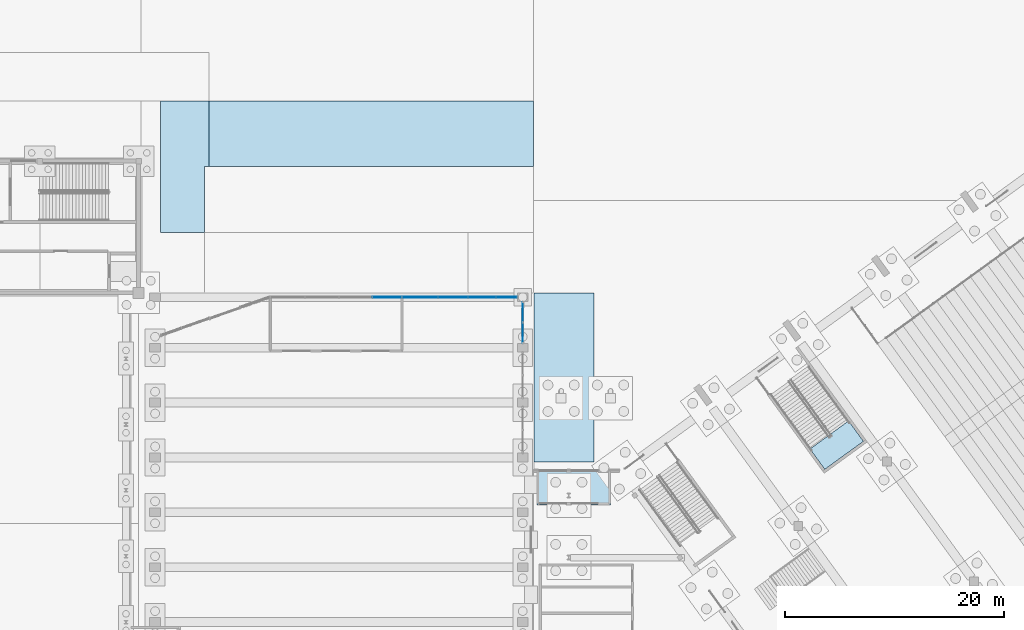
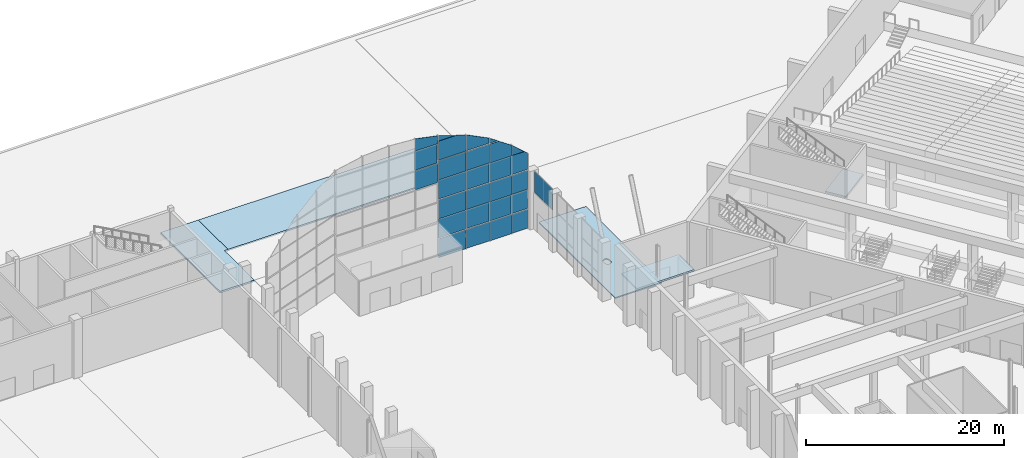
# One storey, part 160 of 239: 29 plates, 5 slabs, 4 elements without a shape of their own.
"""IFC4 building model written with IfcOpenShell, lengths in metres."""

from ifc_helpers import new_model, si_unit, direction, frame, origin, origin_2d, place, context, subcontext, project, spatial, polyline, rectangle, outline, extrude, material, layer, layer_set, type_object, element, aggregate, save


model = new_model("IFC4")

# Units and contexts
model_context = context("Model", 3, precision=1e-05, world=origin(), true_north=direction((0.0, 1.0)))
body_context = subcontext(model_context, "Body", "Model", "MODEL_VIEW")
ifc_project = project(units=[si_unit("LENGTHUNIT", "METRE"), si_unit("AREAUNIT", "SQUARE_METRE"), si_unit("VOLUMEUNIT", "CUBIC_METRE"), si_unit("PLANEANGLEUNIT", "RADIAN"), si_unit("MASSUNIT", "GRAM", prefix="KILO")], contexts=[model_context])

# Site, building, storey
site_placement = place(None, origin())
site = spatial("IfcSite", under=ifc_project, at=site_placement, CompositionType="ELEMENT")
building_placement = place(site_placement, origin())
building = spatial("IfcBuilding", under=site, at=building_placement, Name="Okhra Congress Centre", CompositionType="ELEMENT")
storey_placement = place(building_placement, origin())
storey = spatial("IfcBuildingStorey", under=building, at=storey_placement, Name="L00", CompositionType="ELEMENT", Elevation=0.0)

# Curtain wall, plates
ifc_material_1 = material(Name="Aluminium curtain wall, triple glazing", Category="aluminium")
curtain_wall_type_1 = type_object("IfcCurtainWallType", Name="Curtain wall 2100 module", PredefinedType="NOTDEFINED", material=ifc_material_1)
curtain_wall_1_placement = place(storey_placement, origin())
curtain_wall_1 = element("IfcCurtainWall", 1, at=curtain_wall_1_placement, inside=storey, type_object=curtain_wall_type_1, Name="East bay 9 glazing above the doors", PredefinedType="NOTDEFINED")
ifc_material_2 = material(Name="Triple glazing unit, low-e coating, argon fill", Category="glass")
ifc_layer_1 = layer(ifc_material_2, 0.028076171875)
ifc_layer_set_1 = layer_set([ifc_layer_1], Name="Curtain wall glazing unit 28")
plate_type_1 = type_object("IfcPlateType", Name="Curtain wall glazing unit 28", PredefinedType="CURTAIN_PANEL", material=ifc_layer_set_1)
plate_1_placement = place(storey_placement, frame((189.0, 212.364990234375, 4.56005859375), z_axis=(0.0, 0.0, 1.0), x_axis=(0.0, 1.0, 0.0)))
plate_1 = element("IfcPlate", 2, at=plate_1_placement, type_object=plate_type_1, Name="CW4 panel 1.1", PredefinedType="CURTAIN_PANEL", context=body_context, shape_type="SweptSolid", body=[
    extrude(rectangle(XDim=1.81005859375, YDim=0.028076171875, at=origin_2d()), origin(), (0.0, 0.0, 1.0), 2.580078125),
])
plate_2_placement = place(storey_placement, frame((189.0, 214.235107421875, 4.56005859375), z_axis=(0.0, 0.0, 1.0), x_axis=(0.0, 1.0, 0.0)))
plate_2 = element("IfcPlate", 3, at=plate_2_placement, type_object=plate_type_1, Name="CW4 panel 2.1", PredefinedType="CURTAIN_PANEL", context=body_context, shape_type="SweptSolid", body=[
    extrude(rectangle(XDim=1.81005859375, YDim=0.028076171875, at=origin_2d()), origin(), (0.0, 0.0, 1.0), 2.580078125),
])
aggregate(curtain_wall_1, [plate_1, plate_2])

# Slabs
ifc_material_3 = material(Name="Concrete C30/37", Category="concrete")
ifc_layer_2 = layer(ifc_material_3, 0.14990234375)
ifc_layer_set_2 = layer_set([ifc_layer_2], Name="Paving slab 150 C30/37")
slab_type_1 = type_object("IfcSlabType", Name="Paving slab 150 C30/37", PredefinedType="BASESLAB", material=ifc_layer_set_2)
slab_1_placement = place(storey_placement, frame((0.0, 0.0, -0.14990234375)))
element("IfcSlab", 4, at=slab_1_placement, inside=storey, type_object=slab_type_1, Name="Winter Garden East Apron North paving", PredefinedType="BASESLAB", context=body_context, shape_type="SweptSolid", body=[
    extrude(outline(polyline([(195.5, 200.60009765625), (195.5, 216.0), (190.010009765625, 216.0), (190.010009765625, 200.60009765625), (195.5, 200.60009765625)]), holes=[polyline([(192.23828125, 206.91162109375), (192.201416015625, 206.8564453125), (192.187255859375, 206.826416015625), (192.16796875, 206.762939453125), (192.1630859375, 206.72998046875), (192.1630859375, 206.36669921875), (192.176025390625, 206.3017578125), (192.201416015625, 206.240478515625), (192.23828125, 206.185302734375), (192.285400390625, 206.13818359375), (192.34033203125, 206.1015625), (192.401611328125, 206.076171875), (192.466796875, 206.06298828125), (192.533203125, 206.06298828125), (192.598388671875, 206.076171875), (192.65966796875, 206.1015625), (192.714599609375, 206.13818359375), (192.76171875, 206.185302734375), (192.798583984375, 206.240478515625), (192.812744140625, 206.2705078125), (192.83203125, 206.333984375), (192.83837890625, 206.39990234375), (192.8369140625, 206.72998046875), (192.823974609375, 206.795166015625), (192.798583984375, 206.8564453125), (192.76171875, 206.91162109375), (192.714599609375, 206.95849609375), (192.68798828125, 206.978271484375), (192.62939453125, 207.009521484375), (192.598388671875, 207.020751953125), (192.533203125, 207.03369140625), (192.466796875, 207.03369140625), (192.43408203125, 207.02880859375), (192.37060546875, 207.009521484375), (192.34033203125, 206.995361328125), (192.285400390625, 206.95849609375), (192.23828125, 206.91162109375)])]), origin(), (0.0, 0.0, 1.0), 0.14990234375),
])
ifc_layer_3 = layer(ifc_material_3, 0.179931640625)
ifc_layer_set_3 = layer_set([ifc_layer_3], Name="RC car park slab 180 C30/37")
slab_type_2 = type_object("IfcSlabType", Name="RC car park slab 180 C30/37", PredefinedType="BASESLAB", material=ifc_layer_set_3)
slab_2_placement = place(storey_placement, frame((0.0, 0.0, -0.179931640625)))
element("IfcSlab", 5, at=slab_2_placement, inside=storey, type_object=slab_type_2, Name="Winter Garden North Accessible Parking paving", PredefinedType="BASESLAB", context=body_context, shape_type="SweptSolid", body=[
    extrude(outline(polyline([(190.0, 233.5), (160.39990234375, 233.5), (160.39990234375, 227.5), (190.0, 227.5), (190.0, 233.5)])), origin(), (0.0, 0.0, 1.0), 0.179931640625),
])
ifc_layer_4 = layer(ifc_material_3, 0.219970703125)
ifc_layer_set_4 = layer_set([ifc_layer_4], Name="RC fire appliance lane slab 220 C30/37")
slab_type_3 = type_object("IfcSlabType", Name="RC fire appliance lane slab 220 C30/37", PredefinedType="BASESLAB", material=ifc_layer_set_4)
slab_3_placement = place(storey_placement, frame((0.0, 0.0, -0.219970703125)))
element("IfcSlab", 6, at=slab_3_placement, inside=storey, type_object=slab_type_3, Name="Fire Route North Link paving", PredefinedType="BASESLAB", context=body_context, shape_type="SweptSolid", body=[
    extrude(outline(polyline([(160.39990234375, 233.5), (156.0, 233.5), (156.0, 221.5), (160.0, 221.5), (160.0, 227.5), (160.39990234375, 227.5), (160.39990234375, 233.5)])), origin(), (0.0, 0.0, 1.0), 0.219970703125),
])
ifc_layer_5 = layer(ifc_material_3, 0.199951171875)
ifc_layer_set_5 = layer_set([ifc_layer_5], Name="RC roof slab 200 C30/37")
slab_type_4 = type_object("IfcSlabType", Name="RC roof slab 200 C30/37", PredefinedType="ROOF", material=ifc_layer_set_5)
slab_4_placement = place(storey_placement, frame((0.0, 0.0, 3.199951171875)))
element("IfcSlab", 7, at=slab_4_placement, inside=storey, type_object=slab_type_4, Name="Vestibule 4 roof slab", PredefinedType="ROOF", context=body_context, shape_type="SweptSolid", body=[
    extrude(outline(polyline([(190.300048828125, 196.68994140625), (197.0, 196.68994140625), (197.0, 199.7900390625), (190.300048828125, 199.7900390625), (190.300048828125, 196.68994140625)])), origin(), (0.0, 0.0, 1.0), 0.199951171875),
])

# Stair, slab
stair_type = type_object("IfcStairType", Name="Escape stair 2100 wide, 44 risers of 163.6", PredefinedType="HALF_TURN_STAIR", material=ifc_material_3)
stair_placement = place(storey_placement, origin())
stair = element("IfcStair", 8, at=stair_placement, inside=storey, type_object=stair_type, Name="L00 Escape stair 4", PredefinedType="HALF_TURN_STAIR")
ifc_layer_6 = layer(ifc_material_3, 0.199951171875)
ifc_layer_set_6 = layer_set([ifc_layer_6], Name="RC stair landing 200 C30/37")
slab_type_5 = type_object("IfcSlabType", Name="RC stair landing 200 C30/37", PredefinedType="LANDING", material=ifc_layer_set_6)
slab_5_placement = place(storey_placement, frame((0.0, 0.0, 3.39990234375)))
slab_5 = element("IfcSlab", 9, at=slab_5_placement, type_object=slab_type_5, Name="C4 landing 1", PredefinedType="LANDING", context=body_context, shape_type="SweptSolid", body=[
    extrude(outline(polyline([(215.172119140625, 201.7763671875), (216.52392578125, 199.91552734375), (220.043212890625, 202.472412109375), (218.69140625, 204.333251953125), (215.172119140625, 201.7763671875)])), origin(), (0.0, 0.0, 1.0), 0.2001953125),
])
aggregate(stair, [slab_5])

# Curtain wall, plates
ifc_material_4 = material(Name="Aluminium frame with triple glazing", Category="aluminium")
curtain_wall_type_2 = type_object("IfcCurtainWallType", Name="Glazed gable curtain wall", PredefinedType="NOTDEFINED", material=ifc_material_4)
curtain_wall_2_placement = place(storey_placement, origin())
curtain_wall_2 = element("IfcCurtainWall", 10, at=curtain_wall_2_placement, inside=storey, type_object=curtain_wall_type_2, Name="North gable glazing east", PredefinedType="NOTDEFINED")
ifc_material_5 = material(Name="Toughened triple glazed unit")
ifc_layer_7 = layer(ifc_material_5, 0.028076171875)
ifc_layer_set_7 = layer_set([ifc_layer_7], Name="Triple glazed unit 28 mm")
plate_type_2 = type_object("IfcPlateType", Name="Triple glazed unit 28 mm", PredefinedType="CURTAIN_PANEL", material=ifc_layer_set_7)
plate_3_placement = place(storey_placement, frame((181.234375, 215.572021484375, 0.030029296875), z_axis=(0.0, 1.0, 0.0), x_axis=(-1.0, 0.0, 0.0)))
plate_3 = element("IfcPlate", 11, at=plate_3_placement, type_object=plate_type_2, Name="North gable glazing east glass panel 1.1", PredefinedType="CURTAIN_PANEL", context=body_context, shape_type="SweptSolid", body=[
    extrude(outline(polyline([(0.0, 0.0), (3.17431640625, 0.0), (3.17431640625, 2.340087890625), (0.0, 2.340087890625), (0.0, 0.0)])), origin(), (0.0, 0.0, -1.0), 0.028076171875),
])
plate_4_placement = place(storey_placement, frame((181.234375, 215.6279296875, 2.429931640625), z_axis=(0.0, 1.0, 0.0), x_axis=(-1.0, 0.0, 0.0)))
plate_4 = element("IfcPlate", 12, at=plate_4_placement, type_object=plate_type_2, Name="North gable glazing east glass panel 1.2", PredefinedType="CURTAIN_PANEL", context=body_context, shape_type="SweptSolid", body=[
    extrude(outline(polyline([(0.0, 0.0), (3.17431640625, 0.0), (3.17431640625, 2.340087890625), (0.0, 2.340087890625), (0.0, 0.0)])), origin(), (0.0, 0.0, -1.0), 0.028076171875),
])
plate_5_placement = place(storey_placement, frame((181.234375, 215.572021484375, 4.830078125), z_axis=(0.0, 1.0, 0.0), x_axis=(-1.0, 0.0, 0.0)))
plate_5 = element("IfcPlate", 13, at=plate_5_placement, type_object=plate_type_2, Name="North gable glazing east glass panel 1.3", PredefinedType="CURTAIN_PANEL", context=body_context, shape_type="SweptSolid", body=[
    extrude(outline(polyline([(0.0, 0.0), (3.17431640625, 0.0), (3.17431640625, 2.33984375), (0.0, 2.33984375), (0.0, 0.0)])), origin(), (0.0, 0.0, -1.0), 0.028076171875),
])
plate_6_placement = place(storey_placement, frame((181.234375, 215.6279296875, 7.22998046875), z_axis=(0.0, 1.0, 0.0), x_axis=(-1.0, 0.0, 0.0)))
plate_6 = element("IfcPlate", 14, at=plate_6_placement, type_object=plate_type_2, Name="North gable glazing east glass panel 1.4", PredefinedType="CURTAIN_PANEL", context=body_context, shape_type="SweptSolid", body=[
    extrude(outline(polyline([(0.0, 0.0), (3.17431640625, 0.0), (3.17431640625, 2.340087890625), (0.0, 2.340087890625), (0.0, 0.0)])), origin(), (0.0, 0.0, -1.0), 0.028076171875),
])
plate_7_placement = place(storey_placement, frame((181.234375, 215.572021484375, 9.6298828125), z_axis=(0.0, 1.0, 0.0), x_axis=(-1.0, 0.0, 0.0)))
plate_7 = element("IfcPlate", 15, at=plate_7_placement, type_object=plate_type_2, Name="North gable glazing east glass panel 1.5", PredefinedType="CURTAIN_PANEL", context=body_context, shape_type="SweptSolid", body=[
    extrude(outline(polyline([(0.0, 0.0), (3.17431640625, 0.0), (3.17431640625, 2.340087890625), (0.0, 2.340087890625), (0.0, 0.0)])), origin(), (0.0, 0.0, -1.0), 0.028076171875),
])
plate_8_placement = place(storey_placement, frame((181.234375, 215.6279296875, 12.030029296875), z_axis=(0.0, 1.0, 0.0), x_axis=(-1.0, 0.0, 0.0)))
plate_8 = element("IfcPlate", 16, at=plate_8_placement, type_object=plate_type_2, Name="North gable glazing east glass panel 1.6", PredefinedType="CURTAIN_PANEL", context=body_context, shape_type="SweptSolid", body=[
    extrude(outline(polyline([(0.0, 0.0), (3.17431640625, 0.0), (3.17431640625, 2.340087890625), (1.0, 2.340087890625), (0.0, 2.010498046875), (0.0, 0.0)])), origin(), (0.0, 0.0, -1.0), 0.028076171875),
])
plate_9_placement = place(storey_placement, frame((178.06005859375, 215.572021484375, 15.08642578125), z_axis=(0.0, 1.0, 0.0), x_axis=(0.949760187483, 0.0, -0.312978571586)))
plate_9 = element("IfcPlate", 17, at=plate_9_placement, type_object=plate_type_2, Name="North gable glazing east glass panel 1.7", PredefinedType="CURTAIN_PANEL", context=body_context, shape_type="SweptSolid", body=[
    extrude(outline(polyline([(0.0, 0.0), (2.097568971888936, 0.0), (0.20546859838741813, 0.6235119980815663), (0.0, 0.0)])), origin(), (0.0, 0.0, -1.0), 0.028076171875),
])
plate_10_placement = place(storey_placement, frame((183.994140625, 215.60009765625, 0.030029296875), z_axis=(0.0, 1.0, 0.0), x_axis=(-1.0, 0.0, 0.0)))
plate_10 = element("IfcPlate", 18, at=plate_10_placement, type_object=plate_type_2, Name="North gable glazing east glass panel 2.1", PredefinedType="CURTAIN_PANEL", context=body_context, shape_type="SweptSolid", body=[
    extrude(outline(polyline([(0.0, 0.0), (2.69970703125, 0.0), (2.69970703125, 2.340087890625), (0.0, 2.340087890625), (0.0, 0.0)])), origin(), (0.0, 0.0, -1.0), 0.028076171875),
])
plate_11_placement = place(storey_placement, frame((183.994140625, 215.656005859375, 2.429931640625), z_axis=(0.0, 1.0, 0.0), x_axis=(-1.0, 0.0, 0.0)))
plate_11 = element("IfcPlate", 19, at=plate_11_placement, type_object=plate_type_2, Name="North gable glazing east glass panel 2.2", PredefinedType="CURTAIN_PANEL", context=body_context, shape_type="SweptSolid", body=[
    extrude(outline(polyline([(0.0, 0.0), (2.69970703125, 0.0), (2.69970703125, 2.340087890625), (0.0, 2.340087890625), (0.0, 0.0)])), origin(), (0.0, 0.0, -1.0), 0.028076171875),
])
plate_12_placement = place(storey_placement, frame((183.994140625, 215.60009765625, 4.830078125), z_axis=(0.0, 1.0, 0.0), x_axis=(-1.0, 0.0, 0.0)))
plate_12 = element("IfcPlate", 20, at=plate_12_placement, type_object=plate_type_2, Name="North gable glazing east glass panel 2.3", PredefinedType="CURTAIN_PANEL", context=body_context, shape_type="SweptSolid", body=[
    extrude(outline(polyline([(0.0, 0.0), (2.69970703125, 0.0), (2.69970703125, 2.33984375), (0.0, 2.33984375), (0.0, 0.0)])), origin(), (0.0, 0.0, -1.0), 0.028076171875),
])
plate_13_placement = place(storey_placement, frame((183.994140625, 215.656005859375, 7.22998046875), z_axis=(0.0, 1.0, 0.0), x_axis=(-1.0, 0.0, 0.0)))
plate_13 = element("IfcPlate", 21, at=plate_13_placement, type_object=plate_type_2, Name="North gable glazing east glass panel 2.4", PredefinedType="CURTAIN_PANEL", context=body_context, shape_type="SweptSolid", body=[
    extrude(outline(polyline([(0.0, 0.0), (2.69970703125, 0.0), (2.69970703125, 2.340087890625), (0.0, 2.340087890625), (0.0, 0.0)])), origin(), (0.0, 0.0, -1.0), 0.028076171875),
])
plate_14_placement = place(storey_placement, frame((183.994140625, 215.60009765625, 9.6298828125), z_axis=(0.0, 1.0, 0.0), x_axis=(-1.0, 0.0, 0.0)))
plate_14 = element("IfcPlate", 22, at=plate_14_placement, type_object=plate_type_2, Name="North gable glazing east glass panel 2.5", PredefinedType="CURTAIN_PANEL", context=body_context, shape_type="SweptSolid", body=[
    extrude(outline(polyline([(0.0, 0.0), (2.69970703125, 0.0), (2.69970703125, 2.340087890625), (0.0, 2.340087890625), (0.0, 0.0)])), origin(), (0.0, 0.0, -1.0), 0.028076171875),
])
plate_15_placement = place(storey_placement, frame((183.994140625, 215.656005859375, 12.030029296875), z_axis=(0.0, 1.0, 0.0), x_axis=(-1.0, 0.0, 0.0)))
plate_15 = element("IfcPlate", 23, at=plate_15_placement, type_object=plate_type_2, Name="North gable glazing east glass panel 2.6", PredefinedType="CURTAIN_PANEL", context=body_context, shape_type="SweptSolid", body=[
    extrude(outline(polyline([(0.0, 0.0), (2.69970703125, 0.0), (2.69970703125, 1.985107421875), (0.0, 0.6416015625), (0.0, 0.0)])), origin(), (0.0, 0.0, -1.0), 0.028076171875),
])
plate_16_placement = place(storey_placement, frame((186.549072265625, 215.572021484375, 0.030029296875), z_axis=(0.0, 1.0, 0.0), x_axis=(-1.0, 0.0, 0.0)))
plate_16 = element("IfcPlate", 24, at=plate_16_placement, type_object=plate_type_2, Name="North gable glazing east glass panel 3.1", PredefinedType="CURTAIN_PANEL", context=body_context, shape_type="SweptSolid", body=[
    extrude(outline(polyline([(0.0, 0.0), (2.494873046875, 0.0), (2.494873046875, 2.340087890625), (0.0, 2.340087890625), (0.0, 0.0)])), origin(), (0.0, 0.0, -1.0), 0.028076171875),
])
plate_17_placement = place(storey_placement, frame((186.549072265625, 215.6279296875, 2.429931640625), z_axis=(0.0, 1.0, 0.0), x_axis=(-1.0, 0.0, 0.0)))
plate_17 = element("IfcPlate", 25, at=plate_17_placement, type_object=plate_type_2, Name="North gable glazing east glass panel 3.2", PredefinedType="CURTAIN_PANEL", context=body_context, shape_type="SweptSolid", body=[
    extrude(outline(polyline([(0.0, 0.0), (2.494873046875, 0.0), (2.494873046875, 2.340087890625), (0.0, 2.340087890625), (0.0, 0.0)])), origin(), (0.0, 0.0, -1.0), 0.028076171875),
])
plate_18_placement = place(storey_placement, frame((186.549072265625, 215.572021484375, 4.830078125), z_axis=(0.0, 1.0, 0.0), x_axis=(-1.0, 0.0, 0.0)))
plate_18 = element("IfcPlate", 26, at=plate_18_placement, type_object=plate_type_2, Name="North gable glazing east glass panel 3.3", PredefinedType="CURTAIN_PANEL", context=body_context, shape_type="SweptSolid", body=[
    extrude(outline(polyline([(0.0, 0.0), (2.494873046875, 0.0), (2.494873046875, 2.33984375), (0.0, 2.33984375), (0.0, 0.0)])), origin(), (0.0, 0.0, -1.0), 0.028076171875),
])
plate_19_placement = place(storey_placement, frame((186.549072265625, 215.6279296875, 7.22998046875), z_axis=(0.0, 1.0, 0.0), x_axis=(-1.0, 0.0, 0.0)))
plate_19 = element("IfcPlate", 27, at=plate_19_placement, type_object=plate_type_2, Name="North gable glazing east glass panel 3.4", PredefinedType="CURTAIN_PANEL", context=body_context, shape_type="SweptSolid", body=[
    extrude(outline(polyline([(0.0, 0.0), (2.494873046875, 0.0), (2.494873046875, 2.340087890625), (0.0, 2.340087890625), (0.0, 0.0)])), origin(), (0.0, 0.0, -1.0), 0.028076171875),
])
plate_20_placement = place(storey_placement, frame((186.549072265625, 215.572021484375, 9.6298828125), z_axis=(0.0, 1.0, 0.0), x_axis=(-1.0, 0.0, 0.0)))
plate_20 = element("IfcPlate", 28, at=plate_20_placement, type_object=plate_type_2, Name="North gable glazing east glass panel 3.5", PredefinedType="CURTAIN_PANEL", context=body_context, shape_type="SweptSolid", body=[
    extrude(outline(polyline([(0.0, 0.0), (2.494873046875, 0.0), (2.494873046875, 2.340087890625), (1.5078125, 2.340087890625), (0.0, 1.322265625), (0.0, 0.0)])), origin(), (0.0, 0.0, -1.0), 0.028076171875),
])
plate_21_placement = place(storey_placement, frame((184.05419921875, 215.6279296875, 12.636474609375), z_axis=(0.0, 1.0, 0.0), x_axis=(0.828778154922, 0.0, -0.559577313625)))
plate_21 = element("IfcPlate", 29, at=plate_21_placement, type_object=plate_type_2, Name="North gable glazing east glass panel 3.6", PredefinedType="CURTAIN_PANEL", context=body_context, shape_type="SweptSolid", body=[
    extrude(outline(polyline([(0.0, 0.0), (1.083756073975399, 1.1102230246251565e-16), (0.33935303882926254, 0.5026086271549344), (0.0, 0.0)])), origin(), (0.0, 0.0, -1.0), 0.028076171875),
])
plate_22_placement = place(storey_placement, frame((188.43994140625, 215.60009765625, 0.030029296875), z_axis=(0.0, 1.0, 0.0), x_axis=(-1.0, 0.0, 0.0)))
plate_22 = element("IfcPlate", 30, at=plate_22_placement, type_object=plate_type_2, Name="North gable glazing east glass panel 4.1", PredefinedType="CURTAIN_PANEL", context=body_context, shape_type="SweptSolid", body=[
    extrude(outline(polyline([(0.0, 0.0), (1.8310546875, 0.0), (1.8310546875, 2.340087890625), (0.0, 2.340087890625), (0.0, 0.0)])), origin(), (0.0, 0.0, -1.0), 0.028076171875),
])
plate_23_placement = place(storey_placement, frame((188.43994140625, 215.656005859375, 2.429931640625), z_axis=(0.0, 1.0, 0.0), x_axis=(-1.0, 0.0, 0.0)))
plate_23 = element("IfcPlate", 31, at=plate_23_placement, type_object=plate_type_2, Name="North gable glazing east glass panel 4.2", PredefinedType="CURTAIN_PANEL", context=body_context, shape_type="SweptSolid", body=[
    extrude(outline(polyline([(0.0, 0.0), (1.8310546875, 0.0), (1.8310546875, 2.340087890625), (0.0, 2.340087890625), (0.0, 0.0)])), origin(), (0.0, 0.0, -1.0), 0.028076171875),
])
plate_24_placement = place(storey_placement, frame((188.43994140625, 215.60009765625, 4.830078125), z_axis=(0.0, 1.0, 0.0), x_axis=(-1.0, 0.0, 0.0)))
plate_24 = element("IfcPlate", 32, at=plate_24_placement, type_object=plate_type_2, Name="North gable glazing east glass panel 4.3", PredefinedType="CURTAIN_PANEL", context=body_context, shape_type="SweptSolid", body=[
    extrude(outline(polyline([(0.0, 0.0), (1.8310546875, 0.0), (1.8310546875, 2.33984375), (0.0, 2.33984375), (0.0, 0.0)])), origin(), (0.0, 0.0, -1.0), 0.028076171875),
])
plate_25_placement = place(storey_placement, frame((188.43994140625, 215.656005859375, 7.22998046875), z_axis=(0.0, 1.0, 0.0), x_axis=(-1.0, 0.0, 0.0)))
plate_25 = element("IfcPlate", 33, at=plate_25_placement, type_object=plate_type_2, Name="North gable glazing east glass panel 4.4", PredefinedType="CURTAIN_PANEL", context=body_context, shape_type="SweptSolid", body=[
    extrude(outline(polyline([(0.0, 0.0), (1.8310546875, 0.0), (1.8310546875, 2.340087890625), (0.325927734375, 2.340087890625), (0.0, 2.05078125), (0.0, 0.0)])), origin(), (0.0, 0.0, -1.0), 0.028076171875),
])
plate_26_placement = place(storey_placement, frame((186.60888671875, 215.60009765625, 10.9052734375), z_axis=(0.0, 1.0, 0.0), x_axis=(0.748025809446, 0.0, -0.663669638)))
plate_26 = element("IfcPlate", 34, at=plate_26_placement, type_object=plate_type_2, Name="North gable glazing east glass panel 4.5", PredefinedType="CURTAIN_PANEL", context=body_context, shape_type="SweptSolid", body=[
    extrude(outline(polyline([(0.0, 0.0), (1.9217251354805898, 0.0), (0.8464380344024076, 0.954025104625072), (0.0, 0.0)])), origin(), (0.0, 0.0, -1.0), 0.028076171875),
])
aggregate(curtain_wall_2, [plate_3, plate_4, plate_5, plate_6, plate_7, plate_8, plate_9, plate_10, plate_11, plate_12, plate_13, plate_14, plate_15, plate_16, plate_17, plate_18, plate_19, plate_20, plate_21, plate_22, plate_23, plate_24, plate_25, plate_26])

curtain_wall_3_placement = place(storey_placement, origin())
curtain_wall_3 = element("IfcCurtainWall", 35, at=curtain_wall_3_placement, inside=storey, type_object=curtain_wall_type_2, Name="North gable glazing above the entrance", PredefinedType="NOTDEFINED")
plate_27_placement = place(storey_placement, frame((177.93994140625, 215.60009765625, 9.330078125), z_axis=(0.0, 1.0, 0.0), x_axis=(-1.0, 0.0, 0.0)))
plate_27 = element("IfcPlate", 36, at=plate_27_placement, type_object=plate_type_2, Name="North gable glazing above the entrance glass panel 4.3", PredefinedType="CURTAIN_PANEL", context=body_context, shape_type="SweptSolid", body=[
    extrude(outline(polyline([(0.0, 0.0), (2.584228515625, 0.0), (2.584228515625, 2.33984375), (0.0, 2.33984375), (0.0, 0.0)])), origin(), (0.0, 0.0, -1.0), 0.028076171875),
])
plate_28_placement = place(storey_placement, frame((177.93994140625, 215.656005859375, 11.72998046875), z_axis=(0.0, 1.0, 0.0), x_axis=(-1.0, 0.0, 0.0)))
plate_28 = element("IfcPlate", 37, at=plate_28_placement, type_object=plate_type_2, Name="North gable glazing above the entrance glass panel 4.4", PredefinedType="CURTAIN_PANEL", context=body_context, shape_type="SweptSolid", body=[
    extrude(outline(polyline([(0.0, 0.0), (2.584228515625, 0.0), (2.584228515625, 2.340087890625), (0.0, 2.340087890625), (0.0, 0.0)])), origin(), (0.0, 0.0, -1.0), 0.028076171875),
])
plate_29_placement = place(storey_placement, frame((177.93994140625, 215.60009765625, 14.1298828125), z_axis=(0.0, 1.0, 0.0), x_axis=(-1.0, 0.0, 0.0)))
plate_29 = element("IfcPlate", 38, at=plate_29_placement, type_object=plate_type_2, Name="North gable glazing above the entrance glass panel 4.5", PredefinedType="CURTAIN_PANEL", context=body_context, shape_type="SweptSolid", body=[
    extrude(outline(polyline([(0.0, 0.0), (2.584228515625, 0.0), (2.584228515625, 1.4990234375), (0.0, 0.980712890625), (0.0, 0.0)])), origin(), (0.0, 0.0, -1.0), 0.028076171875),
])
aggregate(curtain_wall_3, [plate_27, plate_28, plate_29])

save(model, "model.ifc")
